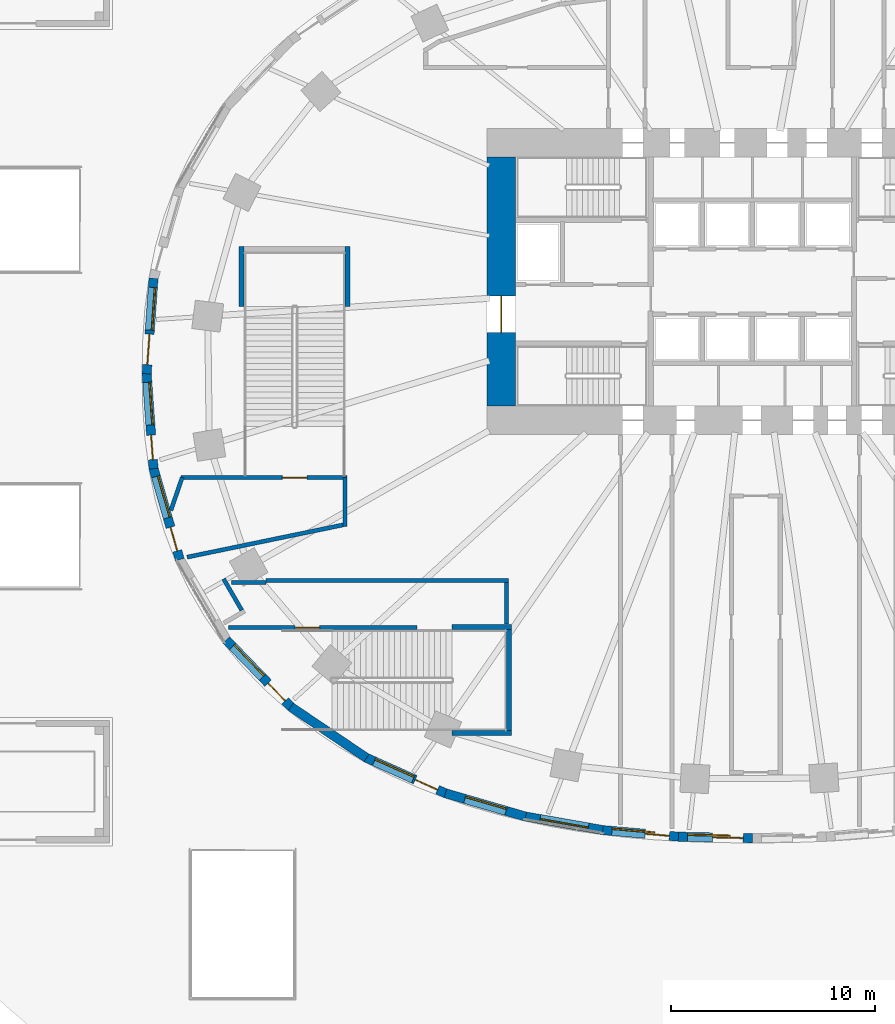
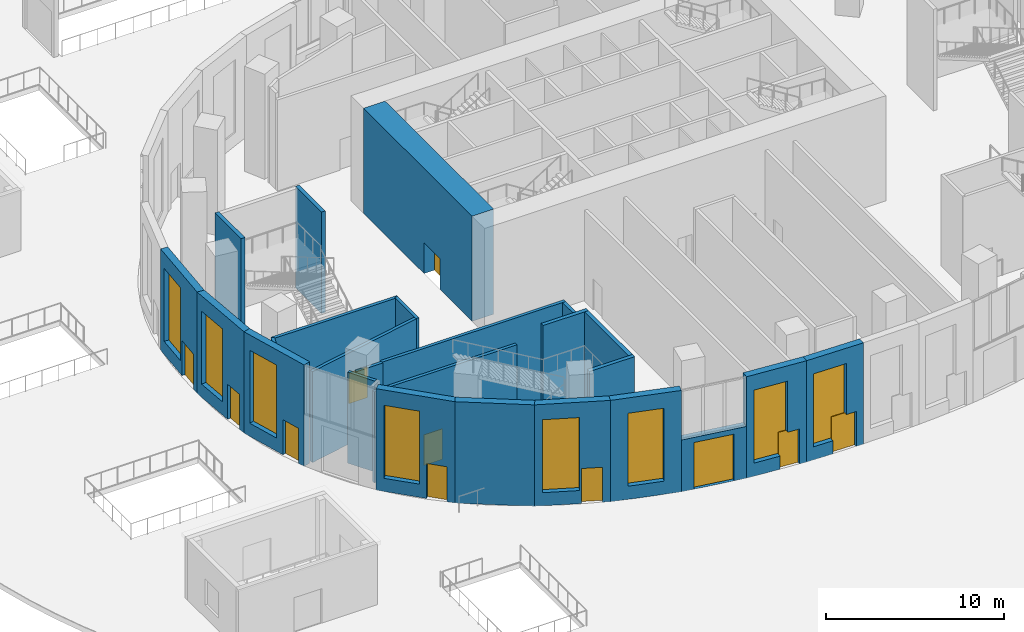
# One storey, part 11 of 27: 25 walls, 11 doors, 8 windows, 19 openings.
"""IFC4 building model written with IfcOpenShell, lengths in metres."""

import ifcopenshell
import ifcopenshell.guid

model = None  # the IFC model being written
_history = None  # IfcOwnerHistory: only IFC2X3 demands one
_inside = {}  # id of a spatial element -> (the spatial element, [elements in it])
_under = {}  # id of a project, library or spatial element -> (it, [spatial elements below it])
_declared = {}  # id of a project -> (the project, [libraries it declares])
_typed = {}  # id of a type object -> (the type object, [elements of that type])
_made_of = {}  # id of a material, layer set ... -> (it, [elements and type objects made of it])


def new_model(schema):
    """Start an empty IFC model of exactly this schema.

    Asked for "IFC4X3", IfcOpenShell would pick the latest addendum, in which some entities
    have other attributes; the version numbers below select the first issue.
    IFC2X3 requires an IfcOwnerHistory on every rooted entity: one is made here for all.
    """
    global model, _history
    if schema == "IFC4X3":
        model = ifcopenshell.file(schema_version=(4, 3, 0, 0))
    else:
        model = ifcopenshell.file(schema=schema)
    _inside.clear()
    _under.clear()
    _declared.clear()
    _typed.clear()
    _made_of.clear()
    _history = None
    if model.schema == "IFC2X3":
        org = make("IfcOrganization", Name="unknown")
        user = make(
            "IfcPersonAndOrganization",
            ThePerson=make("IfcPerson", FamilyName="unknown"),
            TheOrganization=org,
        )
        app = make(
            "IfcApplication",
            ApplicationDeveloper=org,
            Version="unknown",
            ApplicationFullName="unknown",
            ApplicationIdentifier="unknown",
        )
        _history = make(
            "IfcOwnerHistory",
            OwningUser=user,
            OwningApplication=app,
            ChangeAction="ADDED",
            CreationDate=0,
        )
    return model


def make(cls, **values):
    """One entity of the class cls with the attributes given. An attribute that is None is left unset."""
    return model.create_entity(
        cls, **{name: value for name, value in values.items() if value is not None}
    )


def rooted(cls, **values):
    """An entity with a GlobalId (a new one), such as an element, a storey or a relation."""
    return make(cls, GlobalId=ifcopenshell.guid.new(), OwnerHistory=_history, **values)


def si_unit(unit_type, name, prefix=None):
    """IfcSIUnit, for example si_unit("LENGTHUNIT", "METRE", prefix="MILLI")."""
    return make("IfcSIUnit", UnitType=unit_type, Prefix=prefix, Name=name)


def assignment(units):
    """IfcUnitAssignment: the units of a project."""
    return None if units is None else make("IfcUnitAssignment", Units=units)


def point(xyz):
    """IfcCartesianPoint."""
    return None if xyz is None else make("IfcCartesianPoint", Coordinates=xyz)


def direction(xyz):
    """IfcDirection."""
    return None if xyz is None else make("IfcDirection", DirectionRatios=xyz)


def frame(location, z_axis=None, x_axis=None):
    """IfcAxis2Placement3D, a coordinate frame: its origin and axes. An axis left out is left unset."""
    return make(
        "IfcAxis2Placement3D",
        Location=point(location),
        Axis=direction(z_axis),
        RefDirection=direction(x_axis),
    )


def frame_2d(location, x_axis=None):
    """IfcAxis2Placement2D, a coordinate frame in the plane: its origin and x axis."""
    return make(
        "IfcAxis2Placement2D", Location=point(location), RefDirection=direction(x_axis)
    )


def origin():
    """The frame at (0, 0, 0) with its axes left unset."""
    return frame((0.0, 0.0, 0.0))


def place(relative_to, where):
    """IfcLocalPlacement: puts the frame where relative to a parent placement (None: the world)."""
    return make(
        "IfcLocalPlacement", PlacementRelTo=relative_to, RelativePlacement=where
    )


def context(
    kind, dimensions, precision=None, world=None, true_north=None, identifier=None
):
    """IfcGeometricRepresentationContext, for example the 3D "Model" context."""
    return make(
        "IfcGeometricRepresentationContext",
        ContextIdentifier=identifier,
        ContextType=kind,
        CoordinateSpaceDimension=dimensions,
        Precision=precision,
        WorldCoordinateSystem=world,
        TrueNorth=true_north,
    )


def subcontext(parent, identifier, kind, view, scale=None):
    """IfcGeometricRepresentationSubContext, for example "Body" below "Model"."""
    return make(
        "IfcGeometricRepresentationSubContext",
        ContextIdentifier=identifier,
        ContextType=kind,
        ParentContext=parent,
        TargetScale=scale,
        TargetView=view,
    )


def project(units=None, contexts=None):
    """IfcProject with its units and contexts."""
    return rooted(
        "IfcProject",
        Name="project",
        RepresentationContexts=contexts,
        UnitsInContext=assignment(units),
    )


def spatial(cls, under=None, at=None, **own):
    """A site, building, storey or space (cls), placed at a placement, below another one or the project."""
    s = rooted(cls, ObjectPlacement=at, **own)
    if under is not None:
        _under.setdefault(under.id(), (under, []))[1].append(s)
    return s


def profile(cls, at=None, kind="AREA", **sizes):
    """A parametric profile (cls). Its sizes go by their IFC names, for example OverallWidth=200.0."""
    return make(cls, ProfileType=kind, Position=at, **sizes)


def rectangle(**sizes):
    """IfcRectangleProfileDef."""
    return profile("IfcRectangleProfileDef", **sizes)


def extrude(swept, where, along, depth):
    """IfcExtrudedAreaSolid: the profile swept, set in the frame where, extruded along a direction by depth."""
    return make(
        "IfcExtrudedAreaSolid",
        SweptArea=swept,
        Position=where,
        ExtrudedDirection=direction(along),
        Depth=depth,
    )


def shape(context_of_items, identifier, shape_type, items):
    """IfcShapeRepresentation: the items that make up one representation, for example the "Body"."""
    return make(
        "IfcShapeRepresentation",
        ContextOfItems=context_of_items,
        RepresentationIdentifier=identifier,
        RepresentationType=shape_type,
        Items=items,
    )


def material(Name=None, Category=None):
    """IfcMaterial."""
    return make("IfcMaterial", Name=Name, Category=Category)


def layer(
    of_material, thickness, ventilated=None, Name=None, Category=None, Priority=None
):
    """IfcMaterialLayer: one layer of a wall or slab, of a material (None: an air gap)."""
    return make(
        "IfcMaterialLayer",
        Material=of_material,
        LayerThickness=thickness,
        IsVentilated=ventilated,
        Name=Name,
        Category=Category,
        Priority=Priority,
    )


def layer_set(layers, Name=None):
    """IfcMaterialLayerSet."""
    return make("IfcMaterialLayerSet", MaterialLayers=layers, LayerSetName=Name)


def made_of(thing, what):
    """Note that an element or type object is made of a material, layer set ...; save() writes the relation."""
    if what is not None:
        _made_of.setdefault(what.id(), (what, []))[1].append(thing)
    return thing


def type_object(cls, material=None, **own):
    """A type object (cls), such as IfcWallType, which elements share."""
    return made_of(rooted(cls, **own), material)


def element(
    cls,
    number,
    at=None,
    inside=None,
    cuts=None,
    type_object=None,
    material=None,
    context=None,
    identifier="Body",
    shape_type=None,
    held_by="IfcProductDefinitionShape",
    body=None,
    shapes=None,
    **own,
):
    """One element of the class cls, such as IfcWall. Its Tag is "e" and its number.

    at: its placement. inside: the storey or other place that contains it. cuts: it is an
    opening in that element (IfcRelVoidsElement). A single representation is given by context,
    identifier, shape_type and body (its items); several are given by shapes. held_by: the class
    of the entity that holds the representations. save() writes the other relations.
    """
    e = rooted(cls, Tag="e%d" % number, ObjectPlacement=at, **own)
    if body is not None:
        shapes = [shape(context, identifier, shape_type, body)]
    if shapes is not None:
        e.Representation = make(held_by, Representations=shapes)
    if inside is not None:
        _inside.setdefault(inside.id(), (inside, []))[1].append(e)
    if cuts is not None:
        rooted(
            "IfcRelVoidsElement", RelatingBuildingElement=cuts, RelatedOpeningElement=e
        )
    if type_object is not None:
        _typed.setdefault(type_object.id(), (type_object, []))[1].append(e)
    return made_of(e, material)


def fill(opening, filler):
    """IfcRelFillsElement: the door or window that sits in an opening."""
    return rooted(
        "IfcRelFillsElement",
        RelatingOpeningElement=opening,
        RelatedBuildingElement=filler,
    )


def aggregate(whole, parts):
    """IfcRelAggregates: a whole, such as a stair, and the parts it consists of."""
    return rooted("IfcRelAggregates", RelatingObject=whole, RelatedObjects=parts)


def save(model, path):
    """Write the relations noted so far, then the file.

    IfcRelAggregates (storeys below a building ...), IfcRelContainedInSpatialStructure (elements
    in a storey), IfcRelDefinesByType, IfcRelAssociatesMaterial and IfcRelDeclares: one each for
    every whole, place, type object, material and project.
    """
    for whole, parts in _under.values():
        aggregate(whole, parts)
    for where, things in _inside.values():
        rooted(
            "IfcRelContainedInSpatialStructure",
            RelatedElements=things,
            RelatingStructure=where,
        )
    for kind, things in _typed.values():
        rooted("IfcRelDefinesByType", RelatedObjects=things, RelatingType=kind)
    for what, things in _made_of.values():
        rooted("IfcRelAssociatesMaterial", RelatedObjects=things, RelatingMaterial=what)
    for by, libraries in _declared.values():
        rooted("IfcRelDeclares", RelatingContext=by, RelatedDefinitions=libraries)
    model.write(path)


model = new_model("IFC4")

# Units and contexts
model_context = context("Model", 3, precision=1e-05, world=origin(), true_north=direction((0.0, 1.0)))
body_context = subcontext(model_context, "Body", "Model", "MODEL_VIEW")
ifc_project = project(units=[si_unit("LENGTHUNIT", "METRE"), si_unit("AREAUNIT", "SQUARE_METRE"), si_unit("VOLUMEUNIT", "CUBIC_METRE"), si_unit("PLANEANGLEUNIT", "RADIAN"), si_unit("MASSUNIT", "GRAM", prefix="KILO")], contexts=[model_context])

# Site, building, storey
site_placement = place(None, origin())
site = spatial("IfcSite", under=ifc_project, at=site_placement, CompositionType="ELEMENT")
building_placement = place(site_placement, origin())
building = spatial("IfcBuilding", under=site, at=building_placement, Name="Rubra Terraces Tower", CompositionType="ELEMENT")
storey_placement = place(building_placement, origin())
storey = spatial("IfcBuildingStorey", under=building, at=storey_placement, Name="L00", CompositionType="ELEMENT", Elevation=0.0)

# Wall, openings, window, door
ifc_material_1 = material(Name="Brick masonry red-brown", Category="masonry")
ifc_layer_1 = layer(ifc_material_1, 0.449951171875)
ifc_layer_set_1 = layer_set([ifc_layer_1], Name="Brick masonry red-brown")
wall_type_1 = type_object("IfcWallType", Name="Brick facade wall 450", PredefinedType="SOLIDWALL", material=ifc_layer_set_1)
wall_1_placement = place(storey_placement, frame((-29.338623046875, 4.665771484375, 0.0), z_axis=(0.0, 0.0, 1.0), x_axis=(-0.071775601577, -0.997420805387, 0.0)))
wall_1 = element("IfcWall", 1, at=wall_1_placement, inside=storey, type_object=wall_type_1, Name="Facade wall L00 bay 20", PredefinedType="SOLIDWALL", context=body_context, shape_type="SweptSolid", body=[
    extrude(rectangle(XDim=4.694091796875, YDim=0.449951171875, at=frame_2d((2.34716796875, 0.0))), origin(), (0.0, 0.0, 1.0), 6.949951171875),
])
opening_1_placement = place(wall_1_placement, frame((0.449951171875, 0.0, 0.89990234375)))
opening_1 = element("IfcOpeningElement", 2, at=opening_1_placement, cuts=wall_1, Name="Opening W2", PredefinedType="OPENING", context=body_context, shape_type="SweptSolid", body=[
    extrude(rectangle(XDim=2.10009765625, YDim=5.0, at=frame_2d((1.050048828125, 2.5))), frame((0.0, 0.23486328125, 0.0), z_axis=(0.0, -1.0, 0.0), x_axis=(1.0, 0.0, 0.0)), (0.0, 0.0, 1.0), 0.469970703125),
])
opening_2_placement = place(wall_1_placement, frame((2.744140625, 0.0, 0.0)))
opening_2 = element("IfcOpeningElement", 3, at=opening_2_placement, cuts=wall_1, Name="Opening X3.02", PredefinedType="OPENING", context=body_context, shape_type="SweptSolid", body=[
    extrude(rectangle(XDim=1.5, YDim=2.39990234375, at=frame_2d((0.75, 1.199951171875))), frame((0.0, 0.23486328125, 0.0), z_axis=(0.0, -1.0, 0.0), x_axis=(1.0, 0.0, 0.0)), (0.0, 0.0, 1.0), 0.469970703125),
])
ifc_material_2 = material(Name="Clear glass in aluminium frame", Category="aluminium")
window_type = type_object("IfcWindowType", Name="Ground storey fixed window 2100 x 5000", PartitioningType="SINGLE_PANEL", PredefinedType="WINDOW", material=ifc_material_2)
window_1_placement = place(opening_1_placement, origin())
window_1 = element("IfcWindow", 4, at=window_1_placement, inside=storey, type_object=window_type, Name="Window L00 bay 20", OverallHeight=5.0, OverallWidth=2.10009765625, PartitioningType="SINGLE_PANEL", PredefinedType="WINDOW", context=body_context, shape_type="SweptSolid", body=[
    extrude(rectangle(XDim=2.10009765625, YDim=5.0, at=frame_2d((1.050048828125, 2.5))), frame((0.0, 0.135009765625, 0.0), z_axis=(0.0, -1.0, 0.0), x_axis=(1.0, 0.0, 0.0)), (0.0, 0.0, 1.0), 0.06005859375),
])
fill(opening_1, window_1)
ifc_material_3 = material(Name="Glazed aluminium door leaf", Category="aluminium")
door_type_1 = type_object("IfcDoorType", Name="Service door 1500 x 2400", OperationType="NOTDEFINED", PredefinedType="DOOR", material=ifc_material_3)
door_1_placement = place(opening_2_placement, frame((1.5, 0.0, 0.0), z_axis=(0.0, 0.0, 1.0), x_axis=(-1.0, 0.0, 0.0)))
door_1 = element("IfcDoor", 5, at=door_1_placement, inside=storey, type_object=door_type_1, Name="Service door 2", OperationType="SINGLE_SWING_RIGHT", OverallHeight=2.39990234375, OverallWidth=1.5, PredefinedType="DOOR", context=body_context, shape_type="SweptSolid", body=[
    extrude(rectangle(XDim=1.5, YDim=2.39990234375, at=frame_2d((0.75, 1.199951171875))), frame((0.0, 0.02490234375, 0.0), z_axis=(0.0, -1.0, 0.0), x_axis=(1.0, 0.0, 0.0)), (0.0, 0.0, 1.0), 0.050048828125),
])
fill(opening_2, door_1)

# Wall, openings, door, window
wall_2_placement = place(storey_placement, frame((-29.675537109375, 0.01611328125, 0.0), z_axis=(0.0, 0.0, 1.0), x_axis=(0.071775601577, -0.997420805387, 0.0)))
wall_2 = element("IfcWall", 6, at=wall_2_placement, inside=storey, type_object=wall_type_1, Name="Facade wall L00 bay 21", PredefinedType="SOLIDWALL", context=body_context, shape_type="SweptSolid", body=[
    extrude(rectangle(XDim=4.694091796875, YDim=0.449951171875, at=frame_2d((2.34716796875, 0.0))), origin(), (0.0, 0.0, 1.0), 6.949951171875),
])
opening_3_placement = place(wall_2_placement, frame((0.449951171875, 0.0, 0.89990234375)))
opening_3 = element("IfcOpeningElement", 7, at=opening_3_placement, cuts=wall_2, Name="Opening W2", PredefinedType="OPENING", context=body_context, shape_type="SweptSolid", body=[
    extrude(rectangle(XDim=2.10009765625, YDim=5.0, at=frame_2d((1.050048828125, 2.5))), frame((0.0, 0.23486328125, 0.0), z_axis=(0.0, -1.0, 0.0), x_axis=(1.0, 0.0, 0.0)), (0.0, 0.0, 1.0), 0.469970703125),
])
opening_4_placement = place(wall_2_placement, frame((3.044189453125, 0.0, 0.0)))
opening_4 = element("IfcOpeningElement", 8, at=opening_4_placement, cuts=wall_2, Name="Opening X2.11", PredefinedType="OPENING", context=body_context, shape_type="SweptSolid", body=[
    extrude(rectangle(XDim=1.199951171875, YDim=2.39990234375, at=frame_2d((0.60009765625, 1.199951171875))), frame((0.0, 0.23486328125, 0.0), z_axis=(0.0, -1.0, 0.0), x_axis=(1.0, 0.0, 0.0)), (0.0, 0.0, 1.0), 0.469970703125),
])
door_type_2 = type_object("IfcDoorType", Name="Exit door 1200 x 2400", OperationType="NOTDEFINED", PredefinedType="DOOR", material=ifc_material_3)
door_2_placement = place(opening_4_placement, frame((1.199951171875, 0.0, 0.0), z_axis=(0.0, 0.0, 1.0), x_axis=(-1.0, 0.0, 0.0)))
door_2 = element("IfcDoor", 9, at=door_2_placement, inside=storey, type_object=door_type_2, Name="Exit door 11", OperationType="SINGLE_SWING_LEFT", OverallHeight=2.39990234375, OverallWidth=1.199951171875, PredefinedType="DOOR", context=body_context, shape_type="SweptSolid", body=[
    extrude(rectangle(XDim=1.199951171875, YDim=2.39990234375, at=frame_2d((0.60009765625, 1.199951171875))), frame((0.0, 0.02490234375, 0.0), z_axis=(0.0, -1.0, 0.0), x_axis=(1.0, 0.0, 0.0)), (0.0, 0.0, 1.0), 0.050048828125),
])
fill(opening_4, door_2)
window_2_placement = place(opening_3_placement, origin())
window_2 = element("IfcWindow", 10, at=window_2_placement, inside=storey, type_object=window_type, Name="Window L00 bay 21", OverallHeight=5.0, OverallWidth=2.10009765625, PartitioningType="SINGLE_PANEL", PredefinedType="WINDOW", context=body_context, shape_type="SweptSolid", body=[
    extrude(rectangle(XDim=2.10009765625, YDim=5.0, at=frame_2d((1.050048828125, 2.5))), frame((0.0, 0.135009765625, 0.0), z_axis=(0.0, -1.0, 0.0), x_axis=(1.0, 0.0, 0.0)), (0.0, 0.0, 1.0), 0.06005859375),
])
fill(opening_3, window_2)

wall_3_placement = place(storey_placement, frame((-29.3466796875, -4.619873046875, 0.0), z_axis=(0.0, 0.0, 1.0), x_axis=(0.27637239746, -0.961050621935, 0.0)))
wall_3 = element("IfcWall", 11, at=wall_3_placement, inside=storey, type_object=wall_type_1, Name="Facade wall L00 bay 22", PredefinedType="SOLIDWALL", context=body_context, shape_type="SweptSolid", body=[
    extrude(rectangle(XDim=4.685302734375, YDim=0.449951171875, at=frame_2d((2.3427734375, 0.0))), origin(), (0.0, 0.0, 1.0), 6.949951171875),
])
opening_5_placement = place(wall_3_placement, frame((0.449951171875, 0.0, 0.89990234375)))
opening_5 = element("IfcOpeningElement", 12, at=opening_5_placement, cuts=wall_3, Name="Opening W2", PredefinedType="OPENING", context=body_context, shape_type="SweptSolid", body=[
    extrude(rectangle(XDim=2.10009765625, YDim=5.0, at=frame_2d((1.050048828125, 2.5))), frame((0.0, 0.23486328125, 0.0), z_axis=(0.0, -1.0, 0.0), x_axis=(1.0, 0.0, 0.0)), (0.0, 0.0, 1.0), 0.469970703125),
])
opening_6_placement = place(wall_3_placement, frame((3.035400390625, 0.0, 0.0)))
opening_6 = element("IfcOpeningElement", 13, at=opening_6_placement, cuts=wall_3, Name="Opening X2.12", PredefinedType="OPENING", context=body_context, shape_type="SweptSolid", body=[
    extrude(rectangle(XDim=1.199951171875, YDim=2.39990234375, at=frame_2d((0.60009765625, 1.199951171875))), frame((0.0, 0.23486328125, 0.0), z_axis=(0.0, -1.0, 0.0), x_axis=(1.0, 0.0, 0.0)), (0.0, 0.0, 1.0), 0.469970703125),
])
door_3_placement = place(opening_6_placement, frame((1.199951171875, 0.0, 0.0), z_axis=(0.0, 0.0, 1.0), x_axis=(-1.0, 0.0, 0.0)))
door_3 = element("IfcDoor", 14, at=door_3_placement, inside=storey, type_object=door_type_2, Name="Exit door 12", OperationType="SINGLE_SWING_LEFT", OverallHeight=2.39990234375, OverallWidth=1.199951171875, PredefinedType="DOOR", context=body_context, shape_type="SweptSolid", body=[
    extrude(rectangle(XDim=1.199951171875, YDim=2.39990234375, at=frame_2d((0.60009765625, 1.199951171875))), frame((0.0, 0.02490234375, 0.0), z_axis=(0.0, -1.0, 0.0), x_axis=(1.0, 0.0, 0.0)), (0.0, 0.0, 1.0), 0.050048828125),
])
fill(opening_6, door_3)
window_3_placement = place(opening_5_placement, origin())
window_3 = element("IfcWindow", 15, at=window_3_placement, inside=storey, type_object=window_type, Name="Window L00 bay 22", OverallHeight=5.0, OverallWidth=2.10009765625, PartitioningType="SINGLE_PANEL", PredefinedType="WINDOW", context=body_context, shape_type="SweptSolid", body=[
    extrude(rectangle(XDim=2.10009765625, YDim=5.0, at=frame_2d((1.050048828125, 2.5))), frame((0.0, 0.135009765625, 0.0), z_axis=(0.0, -1.0, 0.0), x_axis=(1.0, 0.0, 0.0)), (0.0, 0.0, 1.0), 0.06005859375),
])
fill(opening_5, window_3)

wall_4_placement = place(storey_placement, frame((-25.76806640625, -13.055908203125, 0.0), z_axis=(0.0, 0.0, 1.0), x_axis=(0.694191591241, -0.719790271294, 0.0)))
wall_4 = element("IfcWall", 16, at=wall_4_placement, inside=storey, type_object=wall_type_1, Name="Facade wall L00 bay 24", PredefinedType="SOLIDWALL", context=body_context, shape_type="SweptSolid", body=[
    extrude(rectangle(XDim=4.596923828125, YDim=0.449951171875, at=frame_2d((2.29833984375, 0.0))), origin(), (0.0, 0.0, 1.0), 6.949951171875),
])
opening_7_placement = place(wall_4_placement, frame((0.449951171875, 0.0, 0.89990234375)))
opening_7 = element("IfcOpeningElement", 17, at=opening_7_placement, cuts=wall_4, Name="Opening W2", PredefinedType="OPENING", context=body_context, shape_type="SweptSolid", body=[
    extrude(rectangle(XDim=2.10009765625, YDim=5.0, at=frame_2d((1.050048828125, 2.5))), frame((0.0, 0.23486328125, 0.0), z_axis=(0.0, -1.0, 0.0), x_axis=(1.0, 0.0, 0.0)), (0.0, 0.0, 1.0), 0.469970703125),
])
opening_8_placement = place(wall_4_placement, frame((2.947021484375, 0.0, 0.0)))
opening_8 = element("IfcOpeningElement", 18, at=opening_8_placement, cuts=wall_4, Name="Opening X2.13", PredefinedType="OPENING", context=body_context, shape_type="SweptSolid", body=[
    extrude(rectangle(XDim=1.199951171875, YDim=2.39990234375, at=frame_2d((0.60009765625, 1.199951171875))), frame((0.0, 0.23486328125, 0.0), z_axis=(0.0, -1.0, 0.0), x_axis=(1.0, 0.0, 0.0)), (0.0, 0.0, 1.0), 0.469970703125),
])
door_4_placement = place(opening_8_placement, frame((1.199951171875, 0.0, 0.0), z_axis=(0.0, 0.0, 1.0), x_axis=(-1.0, 0.0, 0.0)))
door_4 = element("IfcDoor", 19, at=door_4_placement, inside=storey, type_object=door_type_2, Name="Exit door 13", OperationType="SINGLE_SWING_LEFT", OverallHeight=2.39990234375, OverallWidth=1.199951171875, PredefinedType="DOOR", context=body_context, shape_type="SweptSolid", body=[
    extrude(rectangle(XDim=1.199951171875, YDim=2.39990234375, at=frame_2d((0.60009765625, 1.199951171875))), frame((0.0, 0.02490234375, 0.0), z_axis=(0.0, -1.0, 0.0), x_axis=(1.0, 0.0, 0.0)), (0.0, 0.0, 1.0), 0.050048828125),
])
fill(opening_8, door_4)
window_4_placement = place(opening_7_placement, origin())
window_4 = element("IfcWindow", 20, at=window_4_placement, inside=storey, type_object=window_type, Name="Window L00 bay 24", OverallHeight=5.0, OverallWidth=2.10009765625, PartitioningType="SINGLE_PANEL", PredefinedType="WINDOW", context=body_context, shape_type="SweptSolid", body=[
    extrude(rectangle(XDim=2.10009765625, YDim=5.0, at=frame_2d((1.050048828125, 2.5))), frame((0.0, 0.135009765625, 0.0), z_axis=(0.0, -1.0, 0.0), x_axis=(1.0, 0.0, 0.0)), (0.0, 0.0, 1.0), 0.06005859375),
])
fill(opening_7, window_4)

# Wall
wall_5_placement = place(storey_placement, frame((-22.61328125, -16.33447265625, 0.0), z_axis=(0.0, 0.0, 1.0), x_axis=(0.828976924359, -0.559282807604, 0.0)))
element("IfcWall", 21, at=wall_5_placement, inside=storey, type_object=wall_type_1, Name="Facade wall L00 bay 25", PredefinedType="SOLIDWALL", context=body_context, shape_type="SweptSolid", body=[
    extrude(rectangle(XDim=4.479248046875, YDim=0.449951171875, at=frame_2d((2.23974609375, 0.0))), origin(), (0.0, 0.0, 1.0), 6.949951171875),
])

# Wall, openings, door, window
wall_6_placement = place(storey_placement, frame((-18.93408203125, -18.82080078125, 0.0), z_axis=(0.0, 0.0, 1.0), x_axis=(0.912571415594, -0.408917365052, 0.0)))
wall_6 = element("IfcWall", 22, at=wall_6_placement, inside=storey, type_object=wall_type_1, Name="Facade wall L00 bay 26", PredefinedType="SOLIDWALL", context=body_context, shape_type="SweptSolid", body=[
    extrude(rectangle(XDim=4.301025390625, YDim=0.449951171875, at=frame_2d((2.150390625, 0.0))), origin(), (0.0, 0.0, 1.0), 6.949951171875),
])
opening_9_placement = place(wall_6_placement, frame((0.449951171875, 0.0, 0.89990234375)))
opening_9 = element("IfcOpeningElement", 23, at=opening_9_placement, cuts=wall_6, Name="Opening W2", PredefinedType="OPENING", context=body_context, shape_type="SweptSolid", body=[
    extrude(rectangle(XDim=2.10009765625, YDim=5.0, at=frame_2d((1.050048828125, 2.5))), frame((0.0, 0.23486328125, 0.0), z_axis=(0.0, -1.0, 0.0), x_axis=(1.0, 0.0, 0.0)), (0.0, 0.0, 1.0), 0.469970703125),
])
opening_10_placement = place(wall_6_placement, frame((2.651123046875, 0.0, 0.0)))
opening_10 = element("IfcOpeningElement", 24, at=opening_10_placement, cuts=wall_6, Name="Opening X2.14", PredefinedType="OPENING", context=body_context, shape_type="SweptSolid", body=[
    extrude(rectangle(XDim=1.199951171875, YDim=2.39990234375, at=frame_2d((0.60009765625, 1.199951171875))), frame((0.0, 0.23486328125, 0.0), z_axis=(0.0, -1.0, 0.0), x_axis=(1.0, 0.0, 0.0)), (0.0, 0.0, 1.0), 0.469970703125),
])
door_5_placement = place(opening_10_placement, frame((1.199951171875, 0.0, 0.0), z_axis=(0.0, 0.0, 1.0), x_axis=(-1.0, 0.0, 0.0)))
door_5 = element("IfcDoor", 25, at=door_5_placement, inside=storey, type_object=door_type_2, Name="Exit door 14", OperationType="SINGLE_SWING_RIGHT", OverallHeight=2.39990234375, OverallWidth=1.199951171875, PredefinedType="DOOR", context=body_context, shape_type="SweptSolid", body=[
    extrude(rectangle(XDim=1.199951171875, YDim=2.39990234375, at=frame_2d((0.60009765625, 1.199951171875))), frame((0.0, 0.02490234375, 0.0), z_axis=(0.0, -1.0, 0.0), x_axis=(1.0, 0.0, 0.0)), (0.0, 0.0, 1.0), 0.050048828125),
])
fill(opening_10, door_5)
window_5_placement = place(opening_9_placement, origin())
window_5 = element("IfcWindow", 26, at=window_5_placement, inside=storey, type_object=window_type, Name="Window L00 bay 26", OverallHeight=5.0, OverallWidth=2.10009765625, PartitioningType="SINGLE_PANEL", PredefinedType="WINDOW", context=body_context, shape_type="SweptSolid", body=[
    extrude(rectangle(XDim=2.10009765625, YDim=5.0, at=frame_2d((1.050048828125, 2.5))), frame((0.0, 0.135009765625, 0.0), z_axis=(0.0, -1.0, 0.0), x_axis=(1.0, 0.0, 0.0)), (0.0, 0.0, 1.0), 0.06005859375),
])
fill(opening_9, window_5)

# Wall, opening, window
wall_7_placement = place(storey_placement, frame((-15.0380859375, -20.569091796875, 0.0), z_axis=(0.0, 0.0, 1.0), x_axis=(0.960186274122, -0.279360553743, 0.0)))
wall_7 = element("IfcWall", 27, at=wall_7_placement, inside=storey, type_object=wall_type_1, Name="Facade wall L00 bay 27", PredefinedType="SOLIDWALL", context=body_context, shape_type="SweptSolid", body=[
    extrude(rectangle(XDim=4.0908203125, YDim=0.449951171875, at=frame_2d((2.04541015625, 0.0))), origin(), (0.0, 0.0, 1.0), 6.949951171875),
])
opening_11_placement = place(wall_7_placement, frame((0.99560546875, 0.0, 0.89990234375)))
opening_11 = element("IfcOpeningElement", 28, at=opening_11_placement, cuts=wall_7, Name="Opening W2", PredefinedType="OPENING", context=body_context, shape_type="SweptSolid", body=[
    extrude(rectangle(XDim=2.10009765625, YDim=5.0, at=frame_2d((1.050048828125, 2.5))), frame((0.0, 0.23486328125, 0.0), z_axis=(0.0, -1.0, 0.0), x_axis=(1.0, 0.0, 0.0)), (0.0, 0.0, 1.0), 0.469970703125),
])
window_6_placement = place(opening_11_placement, origin())
window_6 = element("IfcWindow", 29, at=window_6_placement, inside=storey, type_object=window_type, Name="Window L00 bay 27", OverallHeight=5.0, OverallWidth=2.10009765625, PartitioningType="SINGLE_PANEL", PredefinedType="WINDOW", context=body_context, shape_type="SweptSolid", body=[
    extrude(rectangle(XDim=2.10009765625, YDim=5.0, at=frame_2d((1.050048828125, 2.5))), frame((0.0, 0.135009765625, 0.0), z_axis=(0.0, -1.0, 0.0), x_axis=(1.0, 0.0, 0.0)), (0.0, 0.0, 1.0), 0.06005859375),
])
fill(opening_11, window_6)

# Wall, openings, door, window
wall_8_placement = place(storey_placement, frame((-7.323486328125, -22.375732421875, 0.0), z_axis=(0.0, 0.0, 1.0), x_axis=(0.996259982326, -0.086406293838, 0.0)))
wall_8 = element("IfcWall", 30, at=wall_8_placement, inside=storey, type_object=wall_type_1, Name="Facade wall L00 bay 29", PredefinedType="SOLIDWALL", context=body_context, shape_type="SweptSolid", body=[
    extrude(rectangle(XDim=3.726806640625, YDim=0.449951171875, at=frame_2d((1.86328125, 0.0))), origin(), (0.0, 0.0, 1.0), 6.949951171875),
])
opening_12_placement = place(wall_8_placement, frame((0.449951171875, 0.0, 0.89990234375)))
opening_12 = element("IfcOpeningElement", 31, at=opening_12_placement, cuts=wall_8, Name="Opening W2", PredefinedType="OPENING", context=body_context, shape_type="SweptSolid", body=[
    extrude(rectangle(XDim=2.10009765625, YDim=5.0, at=frame_2d((1.050048828125, 2.5))), frame((0.0, 0.23486328125, 0.0), z_axis=(0.0, -1.0, 0.0), x_axis=(1.0, 0.0, 0.0)), (0.0, 0.0, 1.0), 0.469970703125),
])
opening_13_placement = place(wall_8_placement, frame((2.076904296875, 0.0, 0.0)))
opening_13 = element("IfcOpeningElement", 32, at=opening_13_placement, cuts=wall_8, Name="Opening X2.15", PredefinedType="OPENING", context=body_context, shape_type="SweptSolid", body=[
    extrude(rectangle(XDim=1.199951171875, YDim=2.39990234375, at=frame_2d((0.60009765625, 1.199951171875))), frame((0.0, 0.23486328125, 0.0), z_axis=(0.0, -1.0, 0.0), x_axis=(1.0, 0.0, 0.0)), (0.0, 0.0, 1.0), 0.469970703125),
])
door_6_placement = place(opening_13_placement, frame((1.199951171875, 0.0, 0.0), z_axis=(0.0, 0.0, 1.0), x_axis=(-1.0, 0.0, 0.0)))
door_6 = element("IfcDoor", 33, at=door_6_placement, inside=storey, type_object=door_type_2, Name="Exit door 15", OperationType="SINGLE_SWING_RIGHT", OverallHeight=2.39990234375, OverallWidth=1.199951171875, PredefinedType="DOOR", context=body_context, shape_type="SweptSolid", body=[
    extrude(rectangle(XDim=1.199951171875, YDim=2.39990234375, at=frame_2d((0.60009765625, 1.199951171875))), frame((0.0, 0.02490234375, 0.0), z_axis=(0.0, -1.0, 0.0), x_axis=(1.0, 0.0, 0.0)), (0.0, 0.0, 1.0), 0.050048828125),
])
fill(opening_13, door_6)
window_7_placement = place(opening_12_placement, origin())
window_7 = element("IfcWindow", 34, at=window_7_placement, inside=storey, type_object=window_type, Name="Window L00 bay 29", OverallHeight=5.0, OverallWidth=2.10009765625, PartitioningType="SINGLE_PANEL", PredefinedType="WINDOW", context=body_context, shape_type="SweptSolid", body=[
    extrude(rectangle(XDim=2.10009765625, YDim=5.0, at=frame_2d((1.050048828125, 2.5))), frame((0.0, 0.135009765625, 0.0), z_axis=(0.0, -1.0, 0.0), x_axis=(1.0, 0.0, 0.0)), (0.0, 0.0, 1.0), 0.06005859375),
])
fill(opening_12, window_7)

# Wall, openings, window, door
wall_9_placement = place(storey_placement, frame((-3.625244140625, -22.697021484375, 0.0), z_axis=(0.0, 0.0, 1.0), x_axis=(0.999769941673, -0.0214490962, 0.0)))
wall_9 = element("IfcWall", 35, at=wall_9_placement, inside=storey, type_object=wall_type_1, Name="Facade wall L00 bay 30", PredefinedType="SOLIDWALL", context=body_context, shape_type="SweptSolid", body=[
    extrude(rectangle(XDim=3.630859375, YDim=0.449951171875, at=frame_2d((1.8154296875, 0.0))), origin(), (0.0, 0.0, 1.0), 6.949951171875),
])
opening_14_placement = place(wall_9_placement, frame((0.449951171875, 0.0, 0.89990234375)))
opening_14 = element("IfcOpeningElement", 36, at=opening_14_placement, cuts=wall_9, Name="Opening W2", PredefinedType="OPENING", context=body_context, shape_type="SweptSolid", body=[
    extrude(rectangle(XDim=2.10009765625, YDim=5.0, at=frame_2d((1.050048828125, 2.5))), frame((0.0, 0.23486328125, 0.0), z_axis=(0.0, -1.0, 0.0), x_axis=(1.0, 0.0, 0.0)), (0.0, 0.0, 1.0), 0.469970703125),
])
opening_15_placement = place(wall_9_placement, frame((1.680908203125, 0.0, 0.0)))
opening_15 = element("IfcOpeningElement", 37, at=opening_15_placement, cuts=wall_9, Name="Opening X3.03", PredefinedType="OPENING", context=body_context, shape_type="SweptSolid", body=[
    extrude(rectangle(XDim=1.5, YDim=2.39990234375, at=frame_2d((0.75, 1.199951171875))), frame((0.0, 0.23486328125, 0.0), z_axis=(0.0, -1.0, 0.0), x_axis=(1.0, 0.0, 0.0)), (0.0, 0.0, 1.0), 0.469970703125),
])
window_8_placement = place(opening_14_placement, origin())
window_8 = element("IfcWindow", 38, at=window_8_placement, inside=storey, type_object=window_type, Name="Window L00 bay 30", OverallHeight=5.0, OverallWidth=2.10009765625, PartitioningType="SINGLE_PANEL", PredefinedType="WINDOW", context=body_context, shape_type="SweptSolid", body=[
    extrude(rectangle(XDim=2.10009765625, YDim=5.0, at=frame_2d((1.050048828125, 2.5))), frame((0.0, 0.135009765625, 0.0), z_axis=(0.0, -1.0, 0.0), x_axis=(1.0, 0.0, 0.0)), (0.0, 0.0, 1.0), 0.06005859375),
])
fill(opening_14, window_8)
door_7_placement = place(opening_15_placement, frame((1.5, 0.0, 0.0), z_axis=(0.0, 0.0, 1.0), x_axis=(-1.0, 0.0, 0.0)))
door_7 = element("IfcDoor", 39, at=door_7_placement, inside=storey, type_object=door_type_1, Name="Service door 3", OperationType="SINGLE_SWING_RIGHT", OverallHeight=2.39990234375, OverallWidth=1.5, PredefinedType="DOOR", context=body_context, shape_type="SweptSolid", body=[
    extrude(rectangle(XDim=1.5, YDim=2.39990234375, at=frame_2d((0.75, 1.199951171875))), frame((0.0, 0.02490234375, 0.0), z_axis=(0.0, -1.0, 0.0), x_axis=(1.0, 0.0, 0.0)), (0.0, 0.0, 1.0), 0.050048828125),
])
fill(opening_15, door_7)

# Wall, opening, door
ifc_layer_2 = layer(ifc_material_1, 0.449951171875)
ifc_layer_set_2 = layer_set([ifc_layer_2], Name="Brick masonry red-brown")
wall_type_2 = type_object("IfcWallType", Name="Brick wall under entrance screen 450", PredefinedType="SOLIDWALL", material=ifc_layer_set_2)
wall_10_placement = place(storey_placement, frame((-11.134033203125, -21.706298828125, 0.0), z_axis=(0.0, 0.0, 1.0), x_axis=(0.984947461591, -0.172853978566, 0.0)))
wall_10 = element("IfcWall", 40, at=wall_10_placement, inside=storey, type_object=wall_type_2, Name="Facade wall L00 bay 28", PredefinedType="SOLIDWALL", context=body_context, shape_type="SweptSolid", body=[
    extrude(rectangle(XDim=3.888427734375, YDim=0.449951171875, at=frame_2d((1.9443359375, 0.0))), origin(), (0.0, 0.0, 1.0), 3.550048828125),
])
opening_16_placement = place(wall_10_placement, frame((0.744384765625, 0.0, 0.0)))
opening_16 = element("IfcOpeningElement", 41, at=opening_16_placement, cuts=wall_10, Name="Opening X1.06", PredefinedType="OPENING", context=body_context, shape_type="SweptSolid", body=[
    extrude(rectangle(XDim=2.39990234375, YDim=3.199951171875, at=frame_2d((1.199951171875, 1.60009765625))), frame((0.0, 0.23486328125, 0.0), z_axis=(0.0, -1.0, 0.0), x_axis=(1.0, 0.0, 0.0)), (0.0, 0.0, 1.0), 0.469970703125),
])
door_type_3 = type_object("IfcDoorType", Name="Entrance double door 2400 x 3200", OperationType="DOUBLE_DOOR_DOUBLE_SWING", PredefinedType="DOOR", material=ifc_material_3)
door_8_placement = place(opening_16_placement, origin())
door_8 = element("IfcDoor", 42, at=door_8_placement, inside=storey, type_object=door_type_3, Name="Entrance double door 6", OperationType="DOUBLE_DOOR_DOUBLE_SWING", OverallHeight=3.199951171875, OverallWidth=2.39990234375, PredefinedType="DOOR", context=body_context, shape_type="SweptSolid", body=[
    extrude(rectangle(XDim=2.39990234375, YDim=3.199951171875, at=frame_2d((1.199951171875, 1.60009765625))), frame((0.0, 0.02490234375, 0.0), z_axis=(0.0, -1.0, 0.0), x_axis=(1.0, 0.0, 0.0)), (0.0, 0.0, 1.0), 0.050048828125),
])
fill(opening_16, door_8)

ifc_material_4 = material(Name="Concrete C70", Category="concrete")
ifc_layer_3 = layer(ifc_material_4, 1.39990234375)
ifc_layer_set_3 = layer_set([ifc_layer_3], Name="Concrete C70")
wall_type_3 = type_object("IfcWallType", Name="CORE WALL 1400 C70", PredefinedType="SHEAR", material=ifc_layer_set_3)
wall_11_placement = place(storey_placement, frame((-12.300048828125, -1.60009765625, 0.0), z_axis=(0.0, 0.0, 1.0), x_axis=(0.0, 1.0, 0.0)))
wall_11 = element("IfcWall", 43, at=wall_11_placement, inside=storey, type_object=wall_type_3, Name="CORE WALL W L00", PredefinedType="SHEAR", context=body_context, shape_type="SweptSolid", body=[
    extrude(rectangle(XDim=12.2001953125, YDim=1.39990234375, at=frame_2d((6.10009765625, 0.0))), origin(), (0.0, 0.0, 1.0), 7.199951171875),
])
opening_17_placement = place(wall_11_placement, frame((3.60009765625, 0.0, 0.0)))
opening_17 = element("IfcOpeningElement", 44, at=opening_17_placement, cuts=wall_11, Name="Opening L00.C01", PredefinedType="OPENING", context=body_context, shape_type="SweptSolid", body=[
    extrude(rectangle(XDim=1.800048828125, YDim=2.10009765625, at=frame_2d((0.89990234375, 1.050048828125))), frame((0.0, 0.7099609375, 0.0), z_axis=(0.0, -1.0, 0.0), x_axis=(1.0, 0.0, 0.0)), (0.0, 0.0, 1.0), 1.419921875),
])
ifc_material_5 = material(Name="Painted steel", Category="steel")
door_type_4 = type_object("IfcDoorType", Name="Fire door 1800x2100 double", OperationType="NOTDEFINED", PredefinedType="DOOR", material=ifc_material_5)
door_9_placement = place(opening_17_placement, origin())
door_9 = element("IfcDoor", 45, at=door_9_placement, inside=storey, type_object=door_type_4, Name="Core entrance door FF1", OperationType="DOUBLE_DOOR_SINGLE_SWING", OverallHeight=2.10009765625, OverallWidth=1.800048828125, PredefinedType="DOOR", context=body_context, shape_type="SweptSolid", body=[
    extrude(rectangle(XDim=1.800048828125, YDim=2.10009765625, at=frame_2d((0.89990234375, 1.050048828125))), frame((0.0, 0.02490234375, 0.0), z_axis=(0.0, -1.0, 0.0), x_axis=(1.0, 0.0, 0.0)), (0.0, 0.0, 1.0), 0.050048828125),
])
fill(opening_17, door_9)

ifc_material_6 = material(Name="Blockwork", Category="masonry")
ifc_layer_4 = layer(ifc_material_6, 0.199951171875)
ifc_layer_set_4 = layer_set([ifc_layer_4], Name="Blockwork")
wall_type_4 = type_object("IfcWallType", Name="Corridor partition 200 blockwork", PredefinedType="PARTITIONING", material=ifc_layer_set_4)
wall_12_placement = place(storey_placement, frame((-28.0, -5.10009765625, 0.0), z_axis=(0.0, 0.0, 1.0), x_axis=(1.0, 0.0, 0.0)))
wall_12 = element("IfcWall", 46, at=wall_12_placement, inside=storey, type_object=wall_type_4, Name="Partition wall", PredefinedType="PARTITIONING", context=body_context, shape_type="SweptSolid", body=[
    extrude(rectangle(XDim=8.14990234375, YDim=0.199951171875, at=frame_2d((4.074951171875, 0.0))), origin(), (0.0, 0.0, 1.0), 6.22998046875),
])
opening_18_placement = place(wall_12_placement, frame((4.97509765625, 0.0, 0.0)))
opening_18 = element("IfcOpeningElement", 47, at=opening_18_placement, cuts=wall_12, Name="Opening DB7", PredefinedType="OPENING", context=body_context, shape_type="SweptSolid", body=[
    extrude(rectangle(XDim=1.199951171875, YDim=2.10009765625, at=frame_2d((0.60009765625, 1.050048828125))), frame((0.0, 0.10986328125, 0.0), z_axis=(0.0, -1.0, 0.0), x_axis=(1.0, 0.0, 0.0)), (0.0, 0.0, 1.0), 0.219970703125),
])
ifc_material_7 = material(Name="Painted timber", Category="wood")
door_type_5 = type_object("IfcDoorType", Name="Door 1200x2100 single", OperationType="NOTDEFINED", PredefinedType="DOOR", material=ifc_material_7)
door_10_placement = place(opening_18_placement, origin())
door_10 = element("IfcDoor", 48, at=door_10_placement, inside=storey, type_object=door_type_5, Name="Stair door L00-11", OperationType="SINGLE_SWING_LEFT", OverallHeight=2.10009765625, OverallWidth=1.199951171875, PredefinedType="DOOR", context=body_context, shape_type="SweptSolid", body=[
    extrude(rectangle(XDim=1.199951171875, YDim=2.10009765625, at=frame_2d((0.60009765625, 1.050048828125))), frame((0.0, 0.02490234375, 0.0), z_axis=(0.0, -1.0, 0.0), x_axis=(1.0, 0.0, 0.0)), (0.0, 0.0, 1.0), 0.050048828125),
])
fill(opening_18, door_10)

# Walls
wall_13_placement = place(storey_placement, frame((-19.949951171875, -5.10009765625, 0.0), z_axis=(0.0, 0.0, 1.0), x_axis=(0.0, -1.0, 0.0)))
element("IfcWall", 49, at=wall_13_placement, inside=storey, type_object=wall_type_4, Name="Partition wall", PredefinedType="PARTITIONING", context=body_context, shape_type="SweptSolid", body=[
    extrude(rectangle(XDim=2.39990234375, YDim=0.199951171875, at=frame_2d((1.199951171875, 0.0))), origin(), (0.0, 0.0, 1.0), 6.22998046875),
])
wall_14_placement = place(storey_placement, frame((-20.048095703125, -7.419921875, 0.0), z_axis=(0.0, 0.0, 1.0), x_axis=(-0.979295927035, -0.202433908454, 0.0)))
element("IfcWall", 50, at=wall_14_placement, inside=storey, type_object=wall_type_4, Name="Partition wall", PredefinedType="PARTITIONING", context=body_context, shape_type="SweptSolid", body=[
    extrude(rectangle(XDim=7.805419921875, YDim=0.199951171875, at=frame_2d((3.90283203125, 0.0))), origin(), (0.0, 0.0, 1.0), 6.22998046875),
])
wall_15_placement = place(storey_placement, frame((-28.486083984375, -6.705078125, 0.0), z_axis=(0.0, 0.0, 1.0), x_axis=(0.324819241982, 0.945776115176, 0.0)))
element("IfcWall", 51, at=wall_15_placement, inside=storey, type_object=wall_type_4, Name="Partition wall", PredefinedType="PARTITIONING", context=body_context, shape_type="SweptSolid", body=[
    extrude(rectangle(XDim=1.702392578125, YDim=0.199951171875, at=frame_2d((0.85107421875, 0.0))), origin(), (0.0, 0.0, 1.0), 6.22998046875),
])
wall_16_placement = place(storey_placement, frame((-25.52587890625, -10.23291015625, 0.0), z_axis=(0.0, 0.0, 1.0), x_axis=(1.0, 0.0, 0.0)))
element("IfcWall", 52, at=wall_16_placement, inside=storey, type_object=wall_type_4, Name="Partition wall", PredefinedType="PARTITIONING", context=body_context, shape_type="SweptSolid", body=[
    extrude(rectangle(XDim=1.699951171875, YDim=0.199951171875, at=frame_2d((0.85009765625, 0.0))), origin(), (0.0, 0.0, 1.0), 6.22998046875),
])
wall_17_placement = place(storey_placement, frame((-23.825927734375, -10.14990234375, 0.0), z_axis=(0.0, 0.0, 1.0), x_axis=(1.0, 0.0, 0.0)))
element("IfcWall", 53, at=wall_17_placement, inside=storey, type_object=wall_type_4, Name="Partition wall", PredefinedType="PARTITIONING", context=body_context, shape_type="SweptSolid", body=[
    extrude(rectangle(XDim=11.885986328125, YDim=0.199951171875, at=frame_2d((5.94287109375, 0.0))), origin(), (0.0, 0.0, 1.0), 6.22998046875),
])
wall_18_placement = place(storey_placement, frame((-12.0400390625, -10.25, 0.0), z_axis=(0.0, 0.0, 1.0), x_axis=(0.0, -1.0, 0.0)))
element("IfcWall", 54, at=wall_18_placement, inside=storey, type_object=wall_type_4, Name="Partition wall", PredefinedType="PARTITIONING", context=body_context, shape_type="SweptSolid", body=[
    extrude(rectangle(XDim=2.030029296875, YDim=0.199951171875, at=frame_2d((1.01513671875, 0.0))), origin(), (0.0, 0.0, 1.0), 6.22998046875),
])

# Wall, opening, door
wall_19_placement = place(storey_placement, frame((-16.419921875, -12.449951171875, 0.0), z_axis=(0.0, 0.0, 1.0), x_axis=(-1.0, 0.0, 0.0)))
wall_19 = element("IfcWall", 55, at=wall_19_placement, inside=storey, type_object=wall_type_4, Name="Partition wall", PredefinedType="PARTITIONING", context=body_context, shape_type="SweptSolid", body=[
    extrude(rectangle(XDim=9.239990234375, YDim=0.199951171875, at=frame_2d((4.6201171875, 0.0))), origin(), (0.0, 0.0, 1.0), 6.22998046875),
])
opening_19_placement = place(wall_19_placement, frame((4.780029296875, 0.0, 0.0)))
opening_19 = element("IfcOpeningElement", 56, at=opening_19_placement, cuts=wall_19, Name="Opening DB7", PredefinedType="OPENING", context=body_context, shape_type="SweptSolid", body=[
    extrude(rectangle(XDim=1.199951171875, YDim=2.10009765625, at=frame_2d((0.60009765625, 1.050048828125))), frame((0.0, 0.10986328125, 0.0), z_axis=(0.0, -1.0, 0.0), x_axis=(1.0, 0.0, 0.0)), (0.0, 0.0, 1.0), 0.219970703125),
])
door_11_placement = place(opening_19_placement, origin())
door_11 = element("IfcDoor", 57, at=door_11_placement, inside=storey, type_object=door_type_5, Name="Stair door L00-13", OperationType="SINGLE_SWING_LEFT", OverallHeight=2.10009765625, OverallWidth=1.199951171875, PredefinedType="DOOR", context=body_context, shape_type="SweptSolid", body=[
    extrude(rectangle(XDim=1.199951171875, YDim=2.10009765625, at=frame_2d((0.60009765625, 1.050048828125))), frame((0.0, 0.02490234375, 0.0), z_axis=(0.0, -1.0, 0.0), x_axis=(1.0, 0.0, 0.0)), (0.0, 0.0, 1.0), 0.050048828125),
])
fill(opening_19, door_11)

# Walls
wall_20_placement = place(storey_placement, frame((-25.011962890625, -11.60595703125, 0.0), z_axis=(0.0, 0.0, 1.0), x_axis=(-0.501996766252, 0.864869496903, 0.0)))
element("IfcWall", 58, at=wall_20_placement, inside=storey, type_object=wall_type_4, Name="Partition wall", PredefinedType="PARTITIONING", context=body_context, shape_type="SweptSolid", body=[
    extrude(rectangle(XDim=1.782958984375, YDim=0.199951171875, at=frame_2d((0.8916015625, 0.0))), origin(), (0.0, 0.0, 1.0), 6.22998046875),
])
ifc_material_8 = material(Name="Concrete C40/50", Category="concrete")
ifc_layer_5 = layer(ifc_material_8, 0.25)
ifc_layer_set_5 = layer_set([ifc_layer_5], Name="Concrete C40/50")
wall_type_5 = type_object("IfcWallType", Name="Stair end wall 250 concrete", PredefinedType="SOLIDWALL", material=ifc_layer_set_5)
for number, where, z_axis, x_axis, name in (
    (59, (-25.02490234375, 3.280029296875, 0.0), (0.0, 0.0, 1.0), (0.0, 1.0, 0.0), "Stair end wall"),
    (60, (-19.824951171875, 3.280029296875, 0.0), (0.0, 0.0, 1.0), (0.0, 1.0, 0.0), "Stair end wall"),
):
    element("IfcWall", number, at=place(storey_placement, frame(where, z_axis=z_axis, x_axis=x_axis)), inside=storey, type_object=wall_type_5, Name=name, PredefinedType="SOLIDWALL", context=body_context, shape_type="SweptSolid", body=[
        extrude(rectangle(XDim=2.929931640625, YDim=0.25, at=frame_2d((1.46484375, 0.0))), origin(), (0.0, 0.0, 1.0), 6.949951171875),
    ])
wall_21_placement = place(storey_placement, frame((-11.9150390625, -17.5, 0.0), z_axis=(0.0, 0.0, 1.0), x_axis=(0.0, 1.0, 0.0)))
element("IfcWall", 61, at=wall_21_placement, inside=storey, type_object=wall_type_5, Name="Stair end wall", PredefinedType="SOLIDWALL", context=body_context, shape_type="SweptSolid", body=[
    extrude(rectangle(XDim=4.949951171875, YDim=0.25, at=frame_2d((2.47509765625, 0.0))), origin(), (0.0, 0.0, 1.0), 6.949951171875),
])
for number, where, z_axis, x_axis, name in (
    (62, (-14.719970703125, -17.625, 0.0), (0.0, 0.0, 1.0), (1.0, 0.0, 0.0), "Stair end wall"),
    (63, (-14.719970703125, -12.425048828125, 0.0), (0.0, 0.0, 1.0), (1.0, 0.0, 0.0), "Stair end wall"),
):
    element("IfcWall", number, at=place(storey_placement, frame(where, z_axis=z_axis, x_axis=x_axis)), inside=storey, type_object=wall_type_5, Name=name, PredefinedType="SOLIDWALL", context=body_context, shape_type="SweptSolid", body=[
        extrude(rectangle(XDim=2.929931640625, YDim=0.25, at=frame_2d((1.46484375, 0.0))), origin(), (0.0, 0.0, 1.0), 6.949951171875),
    ])

save(model, "model.ifc")
